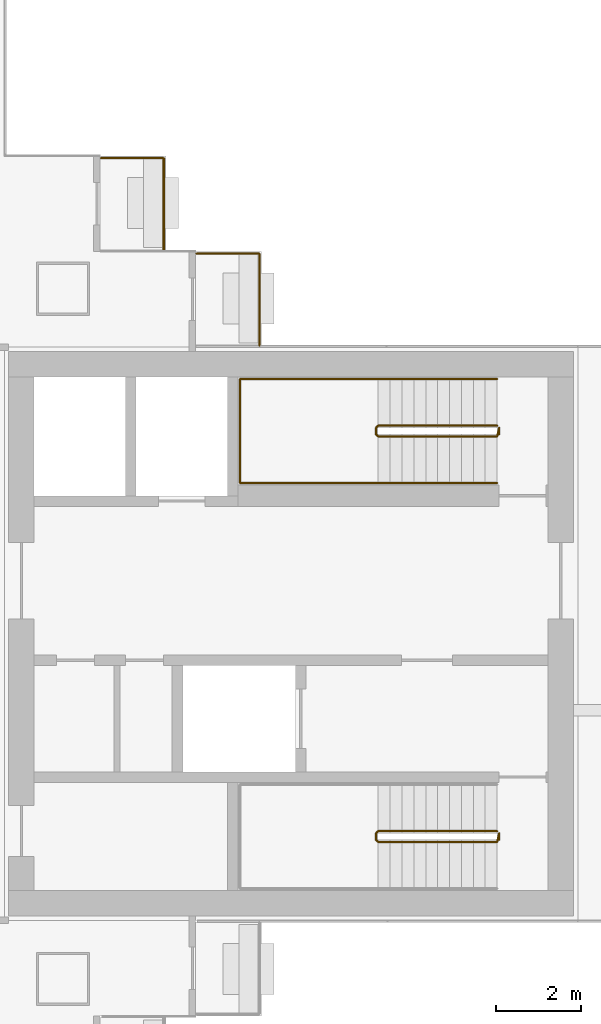
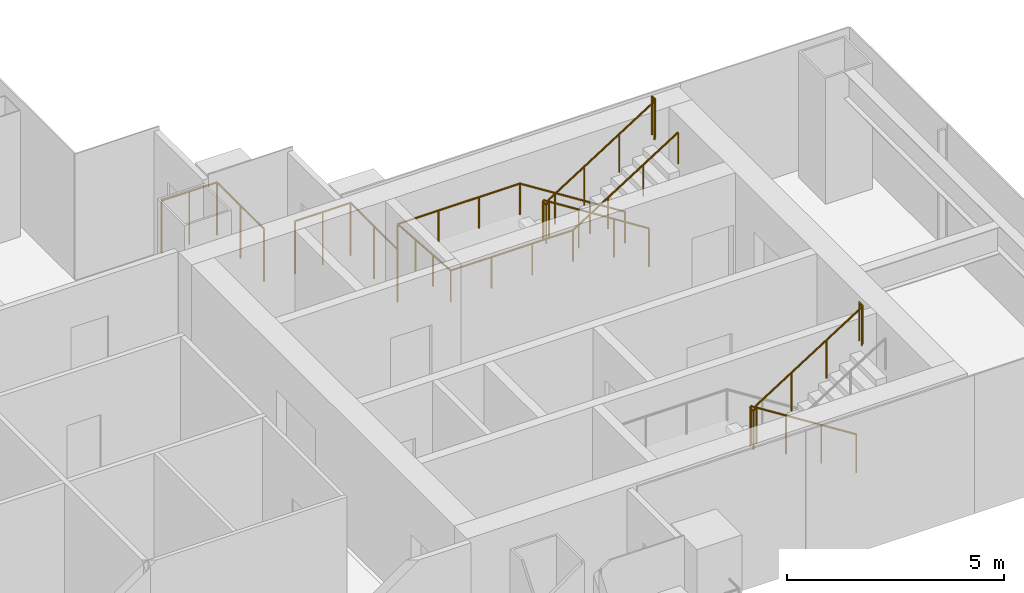
# One storey, part 18 of 19: 5 railings.
"""IFC4 building model written with IfcOpenShell, lengths in metres."""

from ifc_helpers import new_model, si_unit, direction, frame, origin, origin_2d, place, context, subcontext, project, spatial, circle, extrude, material, type_object, element, save


model = new_model("IFC4")

# Units and contexts
model_context = context("Model", 3, precision=1e-05, world=origin(), true_north=direction((0.0, 1.0)))
body_context = subcontext(model_context, "Body", "Model", "MODEL_VIEW")
ifc_project = project(units=[si_unit("LENGTHUNIT", "METRE"), si_unit("AREAUNIT", "SQUARE_METRE"), si_unit("VOLUMEUNIT", "CUBIC_METRE"), si_unit("PLANEANGLEUNIT", "RADIAN"), si_unit("MASSUNIT", "GRAM", prefix="KILO")], contexts=[model_context])

# Site, building, storey
site_placement = place(None, origin())
site = spatial("IfcSite", under=ifc_project, at=site_placement, CompositionType="ELEMENT")
building_placement = place(site_placement, origin())
building = spatial("IfcBuilding", under=site, at=building_placement, Name="Shamsa Quay Exchange Towers", CompositionType="ELEMENT")
storey_placement = place(building_placement, frame((0.0, 0.0, 97.5)))
storey = spatial("IfcBuildingStorey", under=building, at=storey_placement, Name="L22", CompositionType="ELEMENT", Elevation=97.5)

# Railings
ifc_material_1 = material(Name="Steel S355, black powder-coated", Category="steel")
railing_type_1 = type_object("IfcRailingType", Name="BALCONY GUARD 1500", PredefinedType="GUARDRAIL", material=ifc_material_1)
for number, where, name in (
    (1, (44.25, 9.0380859375, 0.0), "Balcony guard T2-PKES L22"),
    (2, (46.5, 6.7880859375, 0.0), "Balcony guard T2-PKES L22"),
):
    element("IfcRailing", number, at=place(storey_placement, frame(where)), inside=storey, type_object=railing_type_1, Name=name, PredefinedType="GUARDRAIL", context=body_context, shape_type="SweptSolid", body=[
        extrude(circle(Radius=0.02392578125, at=origin_2d()), frame((0.0, 0.0, 1.47607421875), z_axis=(0.0, 1.0, 0.0), x_axis=(-1.0, 0.0, 0.0)), (0.0, 0.0, 1.0), 2.161865234375),
        extrude(circle(Radius=0.02392578125, at=origin_2d()), frame((0.0, 2.161865234375, 1.47607421875), z_axis=(-1.0, 0.0, 0.0), x_axis=(0.0, -1.0, 0.0)), (0.0, 0.0, 1.0), 1.47900390625),
        extrude(circle(Radius=0.02099609375, at=origin_2d()), origin(), (0.0, 0.0, 1.0), 1.451904296875),
        extrude(circle(Radius=0.02099609375, at=origin_2d()), frame((0.0, 1.0810546875, 0.0)), (0.0, 0.0, 1.0), 1.451904296875),
        extrude(circle(Radius=0.02099609375, at=origin_2d()), frame((0.0, 2.161865234375, 0.0)), (0.0, 0.0, 1.0), 1.451904296875),
        extrude(circle(Radius=0.02099609375, at=origin_2d()), frame((-0.739501953125, 2.161865234375, 0.0)), (0.0, 0.0, 1.0), 1.451904296875),
        extrude(circle(Radius=0.02099609375, at=origin_2d()), frame((-1.47900390625, 2.161865234375, 0.0)), (0.0, 0.0, 1.0), 1.451904296875),
    ])
ifc_material_2 = material(Name="Stainless steel", Category="steel")
railing_type_2 = type_object("IfcRailingType", Name="STAIR GUARD 1100", PredefinedType="GUARDRAIL", material=ifc_material_2)
railing_1_placement = place(storey_placement, frame((52.10009765625, -4.64990234375, 0.17724609375)))
element("IfcRailing", 3, at=railing_1_placement, inside=storey, type_object=railing_type_2, Name="L22 ST5 stair guard 1", PredefinedType="GUARDRAIL", context=body_context, shape_type="SweptSolid", body=[
    extrude(circle(Radius=0.02392578125, at=origin_2d()), frame((0.0, 0.0, 1.076171875), z_axis=(-0.844908973607, 0.0, 0.534910110503), x_axis=(0.0, -1.0, 0.0)), (0.0, 0.0, 1.0), 3.31396484375),
    extrude(circle(Radius=0.02392578125, at=origin_2d()), frame((-2.800048828125, 0.0, 2.8486328125), z_axis=(-0.707106781187, -0.707106781187, 0.0), x_axis=(0.707106781187, -0.707106781187, 0.0)), (0.0, 0.0, 1.0), 0.07080078125),
    extrude(circle(Radius=0.02392578125, at=origin_2d()), frame((-2.85009765625, -0.050048828125, 2.8486328125), z_axis=(0.0, -1.0, 0.0), x_axis=(1.0, 0.0, 0.0)), (0.0, 0.0, 1.0), 0.150146484375),
    extrude(circle(Radius=0.02392578125, at=origin_2d()), frame((-2.85009765625, -0.2001953125, 2.8486328125), z_axis=(0.262321481514, -0.261041864531, 0.929001929653), x_axis=(0.705375805398, 0.708833529934, 0.0)), (0.0, 0.0, 1.0), 0.190673828125),
    extrude(circle(Radius=0.02392578125, at=origin_2d()), frame((-2.800048828125, -0.25, 3.02587890625), z_axis=(0.844908973607, 0.0, 0.534910110503), x_axis=(0.0, 1.0, 0.0)), (0.0, 0.0, 1.0), 3.31396484375),
    extrude(circle(Radius=0.02392578125, at=origin_2d()), frame((0.0, -0.25, 4.798828125), z_axis=(0.241699205484, 0.970351222016, 0.0), x_axis=(-0.970351222016, 0.241699205484, 0.0)), (0.0, 0.0, 1.0), 0.2060546875),
    extrude(circle(Radius=0.02392578125, at=origin_2d()), frame((0.0498046875, -0.050048828125, 4.798828125), z_axis=(0.0, -1.0, 0.0), x_axis=(1.0, 0.0, 0.0)), (0.0, 0.0, 1.0), 0.150146484375),
    extrude(circle(Radius=0.02099609375, at=origin_2d()), origin(), (0.0, 0.0, 1.0), 1.052001953125),
    extrude(circle(Radius=0.02099609375, at=origin_2d()), frame((-0.933349609375, 0.0, 0.5908203125)), (0.0, 0.0, 1.0), 1.052001953125),
    extrude(circle(Radius=0.02099609375, at=origin_2d()), frame((-1.86669921875, 0.0, 1.181884765625)), (0.0, 0.0, 1.0), 1.052001953125),
    extrude(circle(Radius=0.02099609375, at=origin_2d()), frame((-2.800048828125, 0.0, 1.772705078125)), (0.0, 0.0, 1.0), 1.052001953125),
    extrude(circle(Radius=0.02099609375, at=origin_2d()), frame((-2.85009765625, -0.050048828125, 1.772705078125)), (0.0, 0.0, 1.0), 1.052001953125),
    extrude(circle(Radius=0.02099609375, at=origin_2d()), frame((-2.85009765625, -0.2001953125, 1.772705078125)), (0.0, 0.0, 1.0), 1.052001953125),
    extrude(circle(Radius=0.02099609375, at=origin_2d()), frame((-2.800048828125, -0.25, 1.949951171875)), (0.0, 0.0, 1.0), 1.052001953125),
    extrude(circle(Radius=0.02099609375, at=origin_2d()), frame((-1.86669921875, -0.25, 2.540771484375)), (0.0, 0.0, 1.0), 1.052001953125),
    extrude(circle(Radius=0.02099609375, at=origin_2d()), frame((-0.933349609375, -0.25, 3.1318359375)), (0.0, 0.0, 1.0), 1.052001953125),
    extrude(circle(Radius=0.02099609375, at=origin_2d()), frame((0.0, -0.25, 3.72265625)), (0.0, 0.0, 1.0), 1.052001953125),
    extrude(circle(Radius=0.02099609375, at=origin_2d()), frame((0.0498046875, -0.050048828125, 3.72265625)), (0.0, 0.0, 1.0), 1.052001953125),
    extrude(circle(Radius=0.02099609375, at=origin_2d()), frame((0.0498046875, -0.2001953125, 3.72265625)), (0.0, 0.0, 1.0), 1.052001953125),
])
railing_2_placement = place(storey_placement, frame((52.10009765625, 4.89990234375, 0.17724609375)))
element("IfcRailing", 4, at=railing_2_placement, inside=storey, type_object=railing_type_2, Name="L22 ST6 stair guard 1", PredefinedType="GUARDRAIL", context=body_context, shape_type="SweptSolid", body=[
    extrude(circle(Radius=0.02392578125, at=origin_2d()), frame((0.0, 0.0, 1.076171875), z_axis=(-0.844908973607, 0.0, 0.534910110503), x_axis=(0.0, -1.0, 0.0)), (0.0, 0.0, 1.0), 3.31396484375),
    extrude(circle(Radius=0.02392578125, at=origin_2d()), frame((-2.800048828125, 0.0, 2.8486328125), z_axis=(-0.708833529934, -0.705375805398, 0.0), x_axis=(0.705375805398, -0.708833529934, 0.0)), (0.0, 0.0, 1.0), 0.070556640625),
    extrude(circle(Radius=0.02392578125, at=origin_2d()), frame((-2.85009765625, -0.0498046875, 2.8486328125), z_axis=(0.0, -1.0, 0.0), x_axis=(1.0, 0.0, 0.0)), (0.0, 0.0, 1.0), 0.150146484375),
    extrude(circle(Radius=0.02392578125, at=origin_2d()), frame((-2.85009765625, -0.199951171875, 2.8486328125), z_axis=(0.262233686654, -0.262233686654, 0.928691007369), x_axis=(0.707106781187, 0.707106781187, 0.0)), (0.0, 0.0, 1.0), 0.19091796875),
    extrude(circle(Radius=0.02392578125, at=origin_2d()), frame((-2.800048828125, -0.25, 3.02587890625), z_axis=(0.844908973607, 0.0, 0.534910110503), x_axis=(0.0, 1.0, 0.0)), (0.0, 0.0, 1.0), 3.31396484375),
    extrude(circle(Radius=0.02392578125, at=origin_2d()), frame((0.0, -0.25, 4.798828125), z_axis=(0.24142163986, 0.970420317083, 0.0), x_axis=(-0.970420317083, 0.24142163986, 0.0)), (0.0, 0.0, 1.0), 0.206298828125),
    extrude(circle(Radius=0.02392578125, at=origin_2d()), frame((0.0498046875, -0.0498046875, 4.798828125), z_axis=(0.0, -1.0, 0.0), x_axis=(1.0, 0.0, 0.0)), (0.0, 0.0, 1.0), 0.150146484375),
    extrude(circle(Radius=0.02099609375, at=origin_2d()), origin(), (0.0, 0.0, 1.0), 1.052001953125),
    extrude(circle(Radius=0.02099609375, at=origin_2d()), frame((-0.933349609375, 0.0, 0.5908203125)), (0.0, 0.0, 1.0), 1.052001953125),
    extrude(circle(Radius=0.02099609375, at=origin_2d()), frame((-1.86669921875, 0.0, 1.181884765625)), (0.0, 0.0, 1.0), 1.052001953125),
    extrude(circle(Radius=0.02099609375, at=origin_2d()), frame((-2.800048828125, 0.0, 1.772705078125)), (0.0, 0.0, 1.0), 1.052001953125),
    extrude(circle(Radius=0.02099609375, at=origin_2d()), frame((-2.85009765625, -0.0498046875, 1.772705078125)), (0.0, 0.0, 1.0), 1.052001953125),
    extrude(circle(Radius=0.02099609375, at=origin_2d()), frame((-2.85009765625, -0.199951171875, 1.772705078125)), (0.0, 0.0, 1.0), 1.052001953125),
    extrude(circle(Radius=0.02099609375, at=origin_2d()), frame((-2.800048828125, -0.25, 1.949951171875)), (0.0, 0.0, 1.0), 1.052001953125),
    extrude(circle(Radius=0.02099609375, at=origin_2d()), frame((-1.86669921875, -0.25, 2.540771484375)), (0.0, 0.0, 1.0), 1.052001953125),
    extrude(circle(Radius=0.02099609375, at=origin_2d()), frame((-0.933349609375, -0.25, 3.1318359375)), (0.0, 0.0, 1.0), 1.052001953125),
    extrude(circle(Radius=0.02099609375, at=origin_2d()), frame((0.0, -0.25, 3.72265625)), (0.0, 0.0, 1.0), 1.052001953125),
    extrude(circle(Radius=0.02099609375, at=origin_2d()), frame((0.0498046875, -0.0498046875, 3.72265625)), (0.0, 0.0, 1.0), 1.052001953125),
    extrude(circle(Radius=0.02099609375, at=origin_2d()), frame((0.0498046875, -0.199951171875, 3.72265625)), (0.0, 0.0, 1.0), 1.052001953125),
])
railing_type_3 = type_object("IfcRailingType", Name="STAIR HANDRAIL 900", PredefinedType="HANDRAIL", material=ifc_material_2)
railing_3_placement = place(storey_placement, frame((52.10009765625, 6.0, 0.17724609375)))
element("IfcRailing", 5, at=railing_3_placement, inside=storey, type_object=railing_type_3, Name="L22 ST6 stair handrail 1", PredefinedType="HANDRAIL", context=body_context, shape_type="SweptSolid", body=[
    extrude(circle(Radius=0.02392578125, at=origin_2d()), frame((0.0, 0.0, 0.8759765625), z_axis=(-0.844908973607, 0.0, 0.534910110503), x_axis=(0.0, -1.0, 0.0)), (0.0, 0.0, 1.0), 3.31396484375),
    extrude(circle(Radius=0.02392578125, at=origin_2d()), frame((-2.800048828125, 0.0, 2.6484375), z_axis=(-1.0, 0.0, 0.0), x_axis=(0.0, -1.0, 0.0)), (0.0, 0.0, 1.0), 3.25),
    extrude(circle(Radius=0.02392578125, at=origin_2d()), frame((-6.050048828125, 0.0, 2.6484375), z_axis=(0.0, -0.997393199914, 0.07215819264), x_axis=(1.0, 0.0, 0.0)), (0.0, 0.0, 1.0), 2.456298828125),
    extrude(circle(Radius=0.02392578125, at=origin_2d()), frame((-6.050048828125, -2.449951171875, 2.82568359375), z_axis=(1.0, 0.0, 0.0), x_axis=(0.0, 1.0, 0.0)), (0.0, 0.0, 1.0), 3.25),
    extrude(circle(Radius=0.02392578125, at=origin_2d()), frame((-2.800048828125, -2.449951171875, 2.82568359375), z_axis=(0.844908973607, 0.0, 0.534910110503), x_axis=(0.0, 1.0, 0.0)), (0.0, 0.0, 1.0), 3.31396484375),
    extrude(circle(Radius=0.02099609375, at=origin_2d()), origin(), (0.0, 0.0, 1.0), 0.851806640625),
    extrude(circle(Radius=0.02099609375, at=origin_2d()), frame((-0.933349609375, 0.0, 0.5908203125)), (0.0, 0.0, 1.0), 0.851806640625),
    extrude(circle(Radius=0.02099609375, at=origin_2d()), frame((-1.86669921875, 0.0, 1.181884765625)), (0.0, 0.0, 1.0), 0.851806640625),
    extrude(circle(Radius=0.02099609375, at=origin_2d()), frame((-2.800048828125, 0.0, 1.772705078125)), (0.0, 0.0, 1.0), 0.851806640625),
    extrude(circle(Radius=0.02099609375, at=origin_2d()), frame((-3.88330078125, 0.0, 1.772705078125)), (0.0, 0.0, 1.0), 0.851806640625),
    extrude(circle(Radius=0.02099609375, at=origin_2d()), frame((-4.966796875, 0.0, 1.772705078125)), (0.0, 0.0, 1.0), 0.851806640625),
    extrude(circle(Radius=0.02099609375, at=origin_2d()), frame((-6.050048828125, 0.0, 1.772705078125)), (0.0, 0.0, 1.0), 0.851806640625),
    extrude(circle(Radius=0.02099609375, at=origin_2d()), frame((-6.050048828125, -0.816650390625, 1.831787109375)), (0.0, 0.0, 1.0), 0.851806640625),
    extrude(circle(Radius=0.02099609375, at=origin_2d()), frame((-6.050048828125, -1.63330078125, 1.890869140625)), (0.0, 0.0, 1.0), 0.851806640625),
    extrude(circle(Radius=0.02099609375, at=origin_2d()), frame((-6.050048828125, -2.449951171875, 1.949951171875)), (0.0, 0.0, 1.0), 0.851806640625),
    extrude(circle(Radius=0.02099609375, at=origin_2d()), frame((-4.966796875, -2.449951171875, 1.949951171875)), (0.0, 0.0, 1.0), 0.851806640625),
    extrude(circle(Radius=0.02099609375, at=origin_2d()), frame((-3.88330078125, -2.449951171875, 1.949951171875)), (0.0, 0.0, 1.0), 0.851806640625),
    extrude(circle(Radius=0.02099609375, at=origin_2d()), frame((-2.800048828125, -2.449951171875, 1.949951171875)), (0.0, 0.0, 1.0), 0.851806640625),
    extrude(circle(Radius=0.02099609375, at=origin_2d()), frame((-1.86669921875, -2.449951171875, 2.540771484375)), (0.0, 0.0, 1.0), 0.851806640625),
    extrude(circle(Radius=0.02099609375, at=origin_2d()), frame((-0.933349609375, -2.449951171875, 3.1318359375)), (0.0, 0.0, 1.0), 0.851806640625),
    extrude(circle(Radius=0.02099609375, at=origin_2d()), frame((0.0, -2.449951171875, 3.72265625)), (0.0, 0.0, 1.0), 0.851806640625),
])

save(model, "model.ifc")
